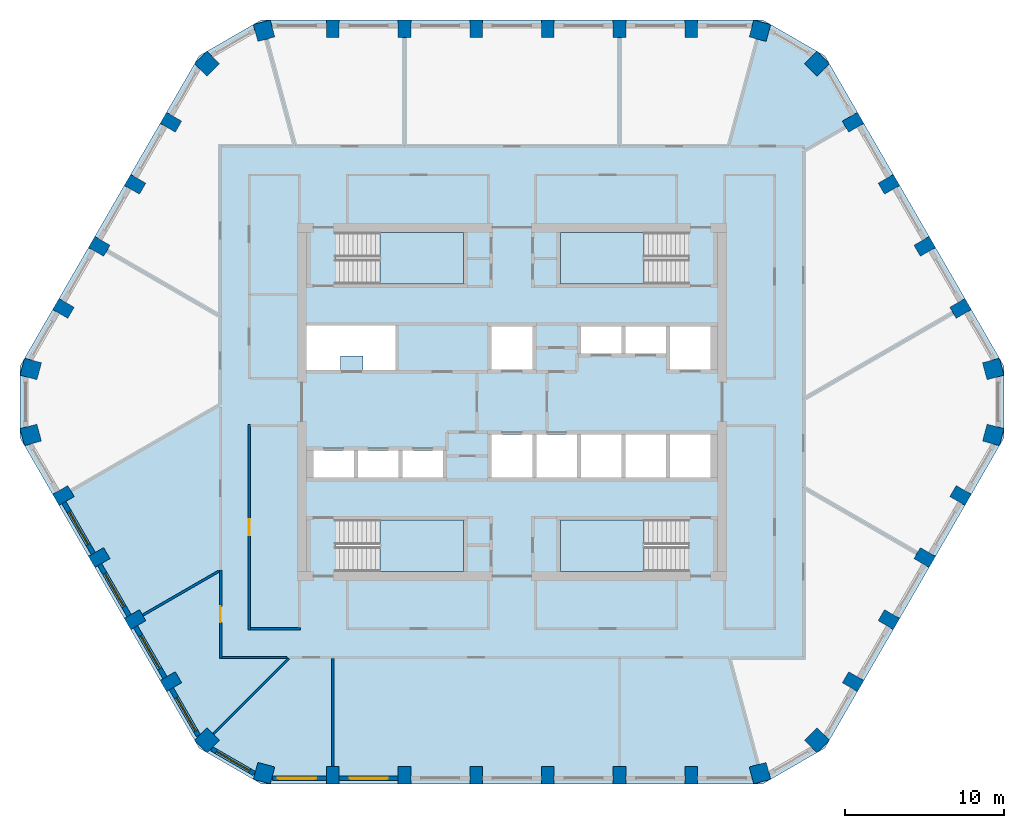
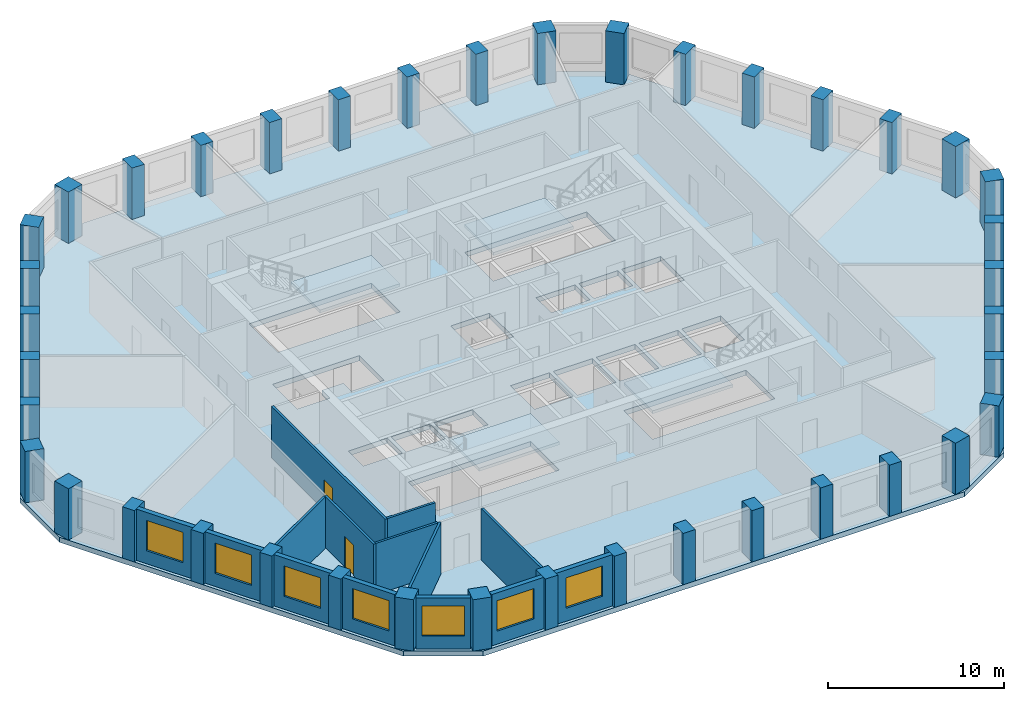
# One storey, part 1 of 13: 40 columns, 14 walls, 7 windows, 5 slabs, 2 doors, 9 openings, 4 elements without a shape of their own.
"""IFC4 building model written with IfcOpenShell, lengths in metres."""

from ifc_helpers import new_model, si_unit, direction, frame, frame_2d, origin, origin_2d, place, context, subcontext, project, spatial, polyline, rectangle, outline, extrude, material, layer, layer_set, material_profile, profile_set, type_object, element, fill, aggregate, save


model = new_model("IFC4")

# Units and contexts
model_context = context("Model", 3, precision=1e-05, world=origin(), true_north=direction((0.0, 1.0)))
body_context = subcontext(model_context, "Body", "Model", "MODEL_VIEW")
ifc_project = project(units=[si_unit("LENGTHUNIT", "METRE"), si_unit("AREAUNIT", "SQUARE_METRE"), si_unit("VOLUMEUNIT", "CUBIC_METRE"), si_unit("PLANEANGLEUNIT", "RADIAN"), si_unit("MASSUNIT", "GRAM", prefix="KILO")], contexts=[model_context])

# Site, building, storey
site_placement = place(None, origin())
site = spatial("IfcSite", under=ifc_project, at=site_placement, CompositionType="ELEMENT")
building_placement = place(site_placement, origin())
building = spatial("IfcBuilding", under=site, at=building_placement, Name="Dhurran Vertical Campus", CompositionType="ELEMENT")
storey_placement = place(building_placement, frame((0.0, 0.0, 191.699951171875)))
storey = spatial("IfcBuildingStorey", under=building, at=storey_placement, Name="L47", CompositionType="ELEMENT", Elevation=191.699951171875)

# Columns
ifc_material_1 = material(Name="Concrete C50/60", Category="concrete")
ifc_material_profile_1 = material_profile(ifc_material_1, rectangle(XDim=1.10009765625, YDim=1.10009765625, at=origin_2d()), Name="RC 1100x1100")
ifc_profile_set_1 = profile_set([ifc_material_profile_1], Name="Concrete C50/60")
column_type_1 = type_object("IfcColumnType", Name="FR COL RC 1100x1100 C50/60", PredefinedType="COLUMN", material=ifc_profile_set_1)
for number, where, z_axis, x_axis, name in (
    (1, (-15.569580078125, -23.31201171875, 0.0), (0.0, 0.0, 1.0), (0.965925826289, -0.258819045103, 0.0), "Perimeter pier PP4.00"),
    (2, (15.569580078125, -23.31201171875, 0.0), (0.0, 0.0, 1.0), (0.965925826289, 0.258819045103, 0.0), "Perimeter pier PP4.07"),
    (3, (19.154052734375, -21.242431640625, 0.0), (0.0, 0.0, 1.0), (0.707106781187, 0.707106781187, 0.0), "Perimeter pier PP4.08"),
    (4, (30.223388671875, -2.069580078125, 0.0), (0.0, 0.0, 1.0), (0.258819045103, 0.965925826289, 0.0), "Perimeter pier PP4.13"),
    (5, (30.223388671875, 2.069580078125, 0.0), (0.0, 0.0, 1.0), (-0.258819045103, 0.965925826289, 0.0), "Perimeter pier PP4.14"),
    (6, (19.154052734375, 21.242431640625, 0.0), (0.0, 0.0, 1.0), (-0.707106781187, 0.707106781187, 0.0), "Perimeter pier PP4.19"),
    (7, (15.569580078125, 23.31201171875, 0.0), (0.0, 0.0, 1.0), (-0.965925826289, 0.258819045103, 0.0), "Perimeter pier PP4.20"),
    (8, (-15.569580078125, 23.31201171875, 0.0), (0.0, 0.0, 1.0), (-0.965925826289, -0.258819045103, 0.0), "Perimeter pier PP4.27"),
    (9, (-19.154052734375, 21.242431640625, 0.0), (0.0, 0.0, 1.0), (-0.707106781187, -0.707106781187, 0.0), "Perimeter pier PP4.28"),
    (10, (-30.223388671875, 2.069580078125, 0.0), (0.0, 0.0, 1.0), (-0.258819045103, -0.965925826289, 0.0), "Perimeter pier PP4.33"),
    (11, (-30.223388671875, -2.069580078125, 0.0), (0.0, 0.0, 1.0), (0.258819045103, -0.965925826289, 0.0), "Perimeter pier PP4.34"),
    (12, (-19.154052734375, -21.242431640625, 0.0), (0.0, 0.0, 1.0), (0.707106781187, -0.707106781187, 0.0), "Perimeter pier PP4.39"),
):
    element("IfcColumn", number, at=place(storey_placement, frame(where, z_axis=z_axis, x_axis=x_axis)), inside=storey, type_object=column_type_1, Name=name, PredefinedType="COLUMN", context=body_context, shape_type="SweptSolid", body=[
        extrude(rectangle(XDim=1.10009765625, YDim=1.10009765625, at=origin_2d()), origin(), (0.0, 0.0, 1.0), 3.550048828125),
    ])
ifc_material_2 = material(Name="Concrete C50/60", Category="concrete")
ifc_material_profile_2 = material_profile(ifc_material_2, rectangle(XDim=0.800048828125, YDim=1.10009765625, at=origin_2d()), Name="RC 800x1100")
ifc_profile_set_2 = profile_set([ifc_material_profile_2], Name="Concrete C50/60")
column_type_2 = type_object("IfcColumnType", Name="FR COL RC 800x1100 C50/60", PredefinedType="COLUMN", material=ifc_profile_set_2)
for number, where, z_axis, x_axis, name in (
    (13, (-11.25, -23.435546875, 0.0), (0.0, 0.0, 1.0), (1.0, 0.0, 0.0), "Perimeter pier PP4.01"),
    (14, (-6.75, -23.435546875, 0.0), (0.0, 0.0, 1.0), (1.0, 0.0, 0.0), "Perimeter pier PP4.02"),
    (15, (-2.25, -23.435546875, 0.0), (0.0, 0.0, 1.0), (1.0, 0.0, 0.0), "Perimeter pier PP4.03"),
    (16, (2.25, -23.435546875, 0.0), (0.0, 0.0, 1.0), (1.0, 0.0, 0.0), "Perimeter pier PP4.04"),
    (17, (6.75, -23.435546875, 0.0), (0.0, 0.0, 1.0), (1.0, 0.0, 0.0), "Perimeter pier PP4.05"),
    (18, (11.25, -23.435546875, 0.0), (0.0, 0.0, 1.0), (1.0, 0.0, 0.0), "Perimeter pier PP4.06"),
    (19, (21.4208984375, -17.5634765625, 0.0), (0.0, 0.0, 1.0), (0.5, 0.866025403784, 0.0), "Perimeter pier PP4.09"),
    (20, (23.6708984375, -13.666259765625, 0.0), (0.0, 0.0, 1.0), (0.5, 0.866025403784, 0.0), "Perimeter pier PP4.10"),
    (21, (25.9208984375, -9.769287109375, 0.0), (0.0, 0.0, 1.0), (0.5, 0.866025403784, 0.0), "Perimeter pier PP4.11"),
    (22, (28.1708984375, -5.8720703125, 0.0), (0.0, 0.0, 1.0), (0.5, 0.866025403784, 0.0), "Perimeter pier PP4.12"),
    (23, (28.1708984375, 5.8720703125, 0.0), (0.0, 0.0, 1.0), (-0.5, 0.866025403784, 0.0), "Perimeter pier PP4.15"),
    (24, (25.9208984375, 9.769287109375, 0.0), (0.0, 0.0, 1.0), (-0.5, 0.866025403784, 0.0), "Perimeter pier PP4.16"),
    (25, (23.6708984375, 13.666259765625, 0.0), (0.0, 0.0, 1.0), (-0.5, 0.866025403784, 0.0), "Perimeter pier PP4.17"),
    (26, (21.4208984375, 17.5634765625, 0.0), (0.0, 0.0, 1.0), (-0.5, 0.866025403784, 0.0), "Perimeter pier PP4.18"),
    (27, (11.25, 23.435546875, 0.0), (0.0, 0.0, 1.0), (-1.0, 0.0, 0.0), "Perimeter pier PP4.21"),
    (28, (6.75, 23.435546875, 0.0), (0.0, 0.0, 1.0), (-1.0, 0.0, 0.0), "Perimeter pier PP4.22"),
    (29, (2.25, 23.435546875, 0.0), (0.0, 0.0, 1.0), (-1.0, 0.0, 0.0), "Perimeter pier PP4.23"),
    (30, (-2.25, 23.435546875, 0.0), (0.0, 0.0, 1.0), (-1.0, 0.0, 0.0), "Perimeter pier PP4.24"),
    (31, (-6.75, 23.435546875, 0.0), (0.0, 0.0, 1.0), (-1.0, 0.0, 0.0), "Perimeter pier PP4.25"),
    (32, (-11.25, 23.435546875, 0.0), (0.0, 0.0, 1.0), (-1.0, 0.0, 0.0), "Perimeter pier PP4.26"),
    (33, (-21.4208984375, 17.5634765625, 0.0), (0.0, 0.0, 1.0), (-0.5, -0.866025403784, 0.0), "Perimeter pier PP4.29"),
    (34, (-23.6708984375, 13.666259765625, 0.0), (0.0, 0.0, 1.0), (-0.5, -0.866025403784, 0.0), "Perimeter pier PP4.30"),
    (35, (-25.9208984375, 9.769287109375, 0.0), (0.0, 0.0, 1.0), (-0.5, -0.866025403784, 0.0), "Perimeter pier PP4.31"),
    (36, (-28.1708984375, 5.8720703125, 0.0), (0.0, 0.0, 1.0), (-0.5, -0.866025403784, 0.0), "Perimeter pier PP4.32"),
    (37, (-28.1708984375, -5.8720703125, 0.0), (0.0, 0.0, 1.0), (0.5, -0.866025403784, 0.0), "Perimeter pier PP4.35"),
    (38, (-25.9208984375, -9.769287109375, 0.0), (0.0, 0.0, 1.0), (0.5, -0.866025403784, 0.0), "Perimeter pier PP4.36"),
    (39, (-23.6708984375, -13.666259765625, 0.0), (0.0, 0.0, 1.0), (0.5, -0.866025403784, 0.0), "Perimeter pier PP4.37"),
    (40, (-21.4208984375, -17.5634765625, 0.0), (0.0, 0.0, 1.0), (0.5, -0.866025403784, 0.0), "Perimeter pier PP4.38"),
):
    element("IfcColumn", number, at=place(storey_placement, frame(where, z_axis=z_axis, x_axis=x_axis)), inside=storey, type_object=column_type_2, Name=name, PredefinedType="COLUMN", context=body_context, shape_type="SweptSolid", body=[
        extrude(rectangle(XDim=0.800048828125, YDim=1.10009765625, at=origin_2d()), origin(), (0.0, 0.0, 1.0), 3.550048828125),
    ])

# Slab
ifc_material_3 = material(Name="Concrete C40/50", Category="concrete")
ifc_layer_1 = layer(ifc_material_3, 0.35009765625)
ifc_layer_set_1 = layer_set([ifc_layer_1], Name="Concrete C40/50")
slab_type_1 = type_object("IfcSlabType", Name="FR POST-TENSIONED FLAT SLAB 350", PredefinedType="FLOOR", material=ifc_layer_set_1)
slab_1_placement = place(storey_placement, frame((0.0, 0.0, -0.349853515625)))
element("IfcSlab", 41, at=slab_1_placement, inside=storey, type_object=slab_type_1, Name="Floor slab L47", PredefinedType="FLOOR", context=body_context, shape_type="SweptSolid", body=[
    extrude(outline(polyline([(-15.75, -23.985595703125), (15.75, -23.985595703125), (19.647216796875, -21.735595703125), (30.897216796875, -2.25), (30.897216796875, 2.25), (19.647216796875, 21.735595703125), (15.75, 23.985595703125), (-15.75, 23.985595703125), (-19.647216796875, 21.735595703125), (-30.897216796875, 2.25), (-30.897216796875, -2.25), (-19.647216796875, -21.735595703125), (-15.75, -23.985595703125)]), holes=[polyline([(-1.27490234375, 2.050048828125), (1.27490234375, 2.050048828125), (1.27490234375, 4.75), (-1.27490234375, 4.75), (-1.27490234375, 2.050048828125)]), polyline([(9.925048828125, 2.050048828125), (12.47509765625, 2.050048828125), (12.47509765625, 4.75), (9.925048828125, 4.75), (9.925048828125, 2.050048828125)]), polyline([(-1.27490234375, -4.75), (1.27490234375, -4.75), (1.27490234375, -2.050048828125), (-1.27490234375, -2.050048828125), (-1.27490234375, -4.75)]), polyline([(1.52490234375, -4.75), (4.074951171875, -4.75), (4.074951171875, -2.050048828125), (1.52490234375, -2.050048828125), (1.52490234375, -4.75)]), polyline([(4.324951171875, -4.75), (6.875, -4.75), (6.875, -2.050048828125), (4.324951171875, -2.050048828125), (4.324951171875, -4.75)]), polyline([(7.125, -4.75), (9.675048828125, -4.75), (9.675048828125, -2.050048828125), (7.125, -2.050048828125), (7.125, -4.75)]), polyline([(9.925048828125, -4.75), (12.47509765625, -4.75), (12.47509765625, -2.050048828125), (9.925048828125, -2.050048828125), (9.925048828125, -4.75)]), polyline([(4.324951171875, 3.050048828125), (6.875, 3.050048828125), (6.875, 4.75), (4.324951171875, 4.75), (4.324951171875, 3.050048828125)]), polyline([(7.125, 3.050048828125), (9.675048828125, 3.050048828125), (9.675048828125, 4.75), (7.125, 4.75), (7.125, 3.050048828125)]), polyline([(-12.47509765625, -4.75), (-9.925048828125, -4.75), (-9.925048828125, -3.050048828125), (-12.47509765625, -3.050048828125), (-12.47509765625, -4.75)]), polyline([(-9.675048828125, -4.75), (-7.125, -4.75), (-7.125, -3.050048828125), (-9.675048828125, -3.050048828125), (-9.675048828125, -4.75)]), polyline([(-6.875, -4.75), (-4.324951171875, -4.75), (-4.324951171875, -3.050048828125), (-6.875, -3.050048828125), (-6.875, -4.75)]), polyline([(-11.050048828125, 7.39990234375), (-3.050048828125, 7.39990234375), (-3.050048828125, 10.64990234375), (-11.050048828125, 10.64990234375), (-11.050048828125, 7.39990234375)]), polyline([(3.050048828125, 7.39990234375), (11.050048828125, 7.39990234375), (11.050048828125, 10.64990234375), (3.050048828125, 10.64990234375), (3.050048828125, 7.39990234375)]), polyline([(-11.050048828125, -10.64990234375), (-3.050048828125, -10.64990234375), (-3.050048828125, -7.39990234375), (-11.050048828125, -7.39990234375), (-11.050048828125, -10.64990234375)]), polyline([(3.050048828125, -10.64990234375), (11.050048828125, -10.64990234375), (11.050048828125, -7.39990234375), (3.050048828125, -7.39990234375), (3.050048828125, -10.64990234375)]), polyline([(-7.21240234375, 4.800048828125), (-7.21240234375, 2.0), (-9.356201171875, 2.0), (-9.356201171875, 2.89990234375), (-10.756103515625, 2.89990234375), (-10.756103515625, 2.0), (-12.89990234375, 2.0), (-12.89990234375, 4.800048828125), (-7.21240234375, 4.800048828125)])]), origin(), (0.0, 0.0, 1.0), 0.349853515625),
])

# Stair, slab
ifc_material_4 = material(Name="Concrete C40/50", Category="concrete")
stair_type = type_object("IfcStairType", Name="co-ST-CORE", PredefinedType="HALF_TURN_STAIR", material=ifc_material_4)
stair_1_placement = place(storey_placement, origin())
stair_1 = element("IfcStair", 42, at=stair_1_placement, inside=storey, type_object=stair_type, Name="L47 Protected exit stair ST1", PredefinedType="HALF_TURN_STAIR")
ifc_material_5 = material(Name="Concrete C40/50", Category="concrete")
ifc_layer_2 = layer(ifc_material_5, 0.199951171875)
ifc_layer_set_2 = layer_set([ifc_layer_2], Name="Concrete C40/50")
slab_type_2 = type_object("IfcSlabType", Name="co-SL-LANDING", PredefinedType="LANDING", material=ifc_layer_set_2)
slab_2_placement = place(storey_placement, frame((0.0, 0.0, 1.75)))
slab_2 = element("IfcSlab", 43, at=slab_2_placement, type_object=slab_type_2, Name="ST1 landing 1", PredefinedType="LANDING", context=body_context, shape_type="SweptSolid", body=[
    extrude(outline(polyline([(-8.300048828125, 7.39990234375), (-3.050048828125, 7.39990234375), (-3.050048828125, 10.64990234375), (-8.300048828125, 10.64990234375), (-8.300048828125, 7.39990234375)])), origin(), (0.0, 0.0, 1.0), 0.199951171875),
])
aggregate(stair_1, [slab_2])

stair_2_placement = place(storey_placement, origin())
stair_2 = element("IfcStair", 44, at=stair_2_placement, inside=storey, type_object=stair_type, Name="L47 Protected exit stair ST2", PredefinedType="HALF_TURN_STAIR")
slab_3_placement = place(storey_placement, frame((0.0, 0.0, 1.75)))
slab_3 = element("IfcSlab", 45, at=slab_3_placement, type_object=slab_type_2, Name="ST2 landing 1", PredefinedType="LANDING", context=body_context, shape_type="SweptSolid", body=[
    extrude(outline(polyline([(8.300048828125, 10.64990234375), (3.050048828125, 10.64990234375), (3.050048828125, 7.39990234375), (8.300048828125, 7.39990234375), (8.300048828125, 10.64990234375)])), origin(), (0.0, 0.0, 1.0), 0.199951171875),
])
aggregate(stair_2, [slab_3])

stair_3_placement = place(storey_placement, origin())
stair_3 = element("IfcStair", 46, at=stair_3_placement, inside=storey, type_object=stair_type, Name="L47 Protected exit stair ST3", PredefinedType="HALF_TURN_STAIR")
slab_4_placement = place(storey_placement, frame((0.0, 0.0, 1.75)))
slab_4 = element("IfcSlab", 47, at=slab_4_placement, type_object=slab_type_2, Name="ST3 landing 1", PredefinedType="LANDING", context=body_context, shape_type="SweptSolid", body=[
    extrude(outline(polyline([(-8.300048828125, -10.64990234375), (-3.050048828125, -10.64990234375), (-3.050048828125, -7.39990234375), (-8.300048828125, -7.39990234375), (-8.300048828125, -10.64990234375)])), origin(), (0.0, 0.0, 1.0), 0.199951171875),
])
aggregate(stair_3, [slab_4])

stair_4_placement = place(storey_placement, origin())
stair_4 = element("IfcStair", 48, at=stair_4_placement, inside=storey, type_object=stair_type, Name="L47 Protected exit stair ST4", PredefinedType="HALF_TURN_STAIR")
slab_5_placement = place(storey_placement, frame((0.0, 0.0, 1.75)))
slab_5 = element("IfcSlab", 49, at=slab_5_placement, type_object=slab_type_2, Name="ST4 landing 1", PredefinedType="LANDING", context=body_context, shape_type="SweptSolid", body=[
    extrude(outline(polyline([(8.300048828125, -7.39990234375), (3.050048828125, -7.39990234375), (3.050048828125, -10.64990234375), (8.300048828125, -10.64990234375), (8.300048828125, -7.39990234375)])), origin(), (0.0, 0.0, 1.0), 0.199951171875),
])
aggregate(stair_4, [slab_5])

# Wall, opening, window
ifc_material_6 = material(Name="Precast concrete C50/60", Category="concrete")
ifc_layer_3 = layer(ifc_material_6, 0.300048828125)
ifc_layer_set_3 = layer_set([ifc_layer_3], Name="Precast concrete C50/60")
wall_type_1 = type_object("IfcWallType", Name="Precast spandrel wall 300", PredefinedType="SOLIDWALL", material=ifc_layer_set_3)
wall_1_placement = place(storey_placement, frame((-15.04638671875, -23.635498046875, 0.0), z_axis=(0.0, 0.0, 1.0), x_axis=(1.0, 0.0, 0.0)))
wall_1 = element("IfcWall", 50, at=wall_1_placement, inside=storey, type_object=wall_type_1, Name="EW1 L47.00", PredefinedType="SOLIDWALL", context=body_context, shape_type="SweptSolid", body=[
    extrude(rectangle(XDim=3.39599609375, YDim=0.300048828125, at=frame_2d((1.697998046875, 0.0))), origin(), (0.0, 0.0, 1.0), 3.550048828125),
])
opening_1_placement = place(wall_1_placement, frame((0.34619140625, 0.0, 0.89990234375)))
opening_1 = element("IfcOpeningElement", 51, at=opening_1_placement, cuts=wall_1, Name="Opening WT1", PredefinedType="OPENING", context=body_context, shape_type="SweptSolid", body=[
    extrude(rectangle(XDim=2.39990234375, YDim=2.10009765625, at=frame_2d((1.199951171875, 1.050048828125))), frame((0.0, 0.159912109375, 0.0), z_axis=(0.0, -1.0, 0.0), x_axis=(1.0, 0.0, 0.0)), (0.0, 0.0, 1.0), 0.320068359375),
])
ifc_material_7 = material(Name="Aluminium frame with solar-control glass", Category="aluminium")
window_type = type_object("IfcWindowType", Name="Punched window 2400 x 2100", PartitioningType="SINGLE_PANEL", PredefinedType="WINDOW", material=ifc_material_7)
window_1_placement = place(opening_1_placement, origin())
window_1 = element("IfcWindow", 52, at=window_1_placement, inside=storey, type_object=window_type, Name="WT1 L47.00", OverallHeight=2.10009765625, OverallWidth=2.39990234375, PartitioningType="SINGLE_PANEL", PredefinedType="WINDOW", context=body_context, shape_type="SweptSolid", body=[
    extrude(rectangle(XDim=2.39990234375, YDim=2.10009765625, at=frame_2d((1.199951171875, 1.050048828125))), frame((0.0, 0.030029296875, 0.0), z_axis=(0.0, -1.0, 0.0), x_axis=(1.0, 0.0, 0.0)), (0.0, 0.0, 1.0), 0.06005859375),
])
fill(opening_1, window_1)

wall_2_placement = place(storey_placement, frame((-10.849609375, -23.635498046875, 0.0), z_axis=(0.0, 0.0, 1.0), x_axis=(1.0, 0.0, 0.0)))
wall_2 = element("IfcWall", 53, at=wall_2_placement, inside=storey, type_object=wall_type_1, Name="EW1 L47.01", PredefinedType="SOLIDWALL", context=body_context, shape_type="SweptSolid", body=[
    extrude(rectangle(XDim=3.69921875, YDim=0.300048828125, at=frame_2d((1.849609375, 0.0))), origin(), (0.0, 0.0, 1.0), 3.550048828125),
])
opening_2_placement = place(wall_2_placement, frame((0.6494140625, 0.0, 0.89990234375)))
opening_2 = element("IfcOpeningElement", 54, at=opening_2_placement, cuts=wall_2, Name="Opening WT1", PredefinedType="OPENING", context=body_context, shape_type="SweptSolid", body=[
    extrude(rectangle(XDim=2.39990234375, YDim=2.10009765625, at=frame_2d((1.199951171875, 1.050048828125))), frame((0.0, 0.159912109375, 0.0), z_axis=(0.0, -1.0, 0.0), x_axis=(1.0, 0.0, 0.0)), (0.0, 0.0, 1.0), 0.320068359375),
])
window_2_placement = place(opening_2_placement, origin())
window_2 = element("IfcWindow", 55, at=window_2_placement, inside=storey, type_object=window_type, Name="WT1 L47.01", OverallHeight=2.10009765625, OverallWidth=2.39990234375, PartitioningType="SINGLE_PANEL", PredefinedType="WINDOW", context=body_context, shape_type="SweptSolid", body=[
    extrude(rectangle(XDim=2.39990234375, YDim=2.10009765625, at=frame_2d((1.199951171875, 1.050048828125))), frame((0.0, 0.030029296875, 0.0), z_axis=(0.0, -1.0, 0.0), x_axis=(1.0, 0.0, 0.0)), (0.0, 0.0, 1.0), 0.06005859375),
])
fill(opening_2, window_2)

wall_3_placement = place(storey_placement, frame((-28.143798828125, -6.319091796875, 0.0), z_axis=(0.0, 0.0, 1.0), x_axis=(0.500029062817, -0.866008623709, 0.0)))
wall_3 = element("IfcWall", 56, at=wall_3_placement, inside=storey, type_object=wall_type_1, Name="EW1 L47.35", PredefinedType="SOLIDWALL", context=body_context, shape_type="SweptSolid", body=[
    extrude(rectangle(XDim=3.698974609375, YDim=0.300048828125, at=frame_2d((1.849609375, 0.0))), origin(), (0.0, 0.0, 1.0), 3.550048828125),
])
opening_3_placement = place(wall_3_placement, frame((0.6494140625, 0.0, 0.89990234375)))
opening_3 = element("IfcOpeningElement", 57, at=opening_3_placement, cuts=wall_3, Name="Opening WT1", PredefinedType="OPENING", context=body_context, shape_type="SweptSolid", body=[
    extrude(rectangle(XDim=2.39990234375, YDim=2.10009765625, at=frame_2d((1.199951171875, 1.050048828125))), frame((0.0, 0.159912109375, 0.0), z_axis=(0.0, -1.0, 0.0), x_axis=(1.0, 0.0, 0.0)), (0.0, 0.0, 1.0), 0.320068359375),
])
window_3_placement = place(opening_3_placement, origin())
window_3 = element("IfcWindow", 58, at=window_3_placement, inside=storey, type_object=window_type, Name="WT1 L47.35", OverallHeight=2.10009765625, OverallWidth=2.39990234375, PartitioningType="SINGLE_PANEL", PredefinedType="WINDOW", context=body_context, shape_type="SweptSolid", body=[
    extrude(rectangle(XDim=2.39990234375, YDim=2.10009765625, at=frame_2d((1.199951171875, 1.050048828125))), frame((0.0, 0.030029296875, 0.0), z_axis=(0.0, -1.0, 0.0), x_axis=(1.0, 0.0, 0.0)), (0.0, 0.0, 1.0), 0.06005859375),
])
fill(opening_3, window_3)

wall_4_placement = place(storey_placement, frame((-25.893798828125, -10.216064453125, 0.0), z_axis=(0.0, 0.0, 1.0), x_axis=(0.500029062817, -0.866008623709, 0.0)))
wall_4 = element("IfcWall", 59, at=wall_4_placement, inside=storey, type_object=wall_type_1, Name="EW1 L47.36", PredefinedType="SOLIDWALL", context=body_context, shape_type="SweptSolid", body=[
    extrude(rectangle(XDim=3.698974609375, YDim=0.300048828125, at=frame_2d((1.849609375, 0.0))), origin(), (0.0, 0.0, 1.0), 3.550048828125),
])
opening_4_placement = place(wall_4_placement, frame((0.6494140625, 0.0, 0.89990234375)))
opening_4 = element("IfcOpeningElement", 60, at=opening_4_placement, cuts=wall_4, Name="Opening WT1", PredefinedType="OPENING", context=body_context, shape_type="SweptSolid", body=[
    extrude(rectangle(XDim=2.39990234375, YDim=2.10009765625, at=frame_2d((1.199951171875, 1.050048828125))), frame((0.0, 0.159912109375, 0.0), z_axis=(0.0, -1.0, 0.0), x_axis=(1.0, 0.0, 0.0)), (0.0, 0.0, 1.0), 0.320068359375),
])
window_4_placement = place(opening_4_placement, origin())
window_4 = element("IfcWindow", 61, at=window_4_placement, inside=storey, type_object=window_type, Name="WT1 L47.36", OverallHeight=2.10009765625, OverallWidth=2.39990234375, PartitioningType="SINGLE_PANEL", PredefinedType="WINDOW", context=body_context, shape_type="SweptSolid", body=[
    extrude(rectangle(XDim=2.39990234375, YDim=2.10009765625, at=frame_2d((1.199951171875, 1.050048828125))), frame((0.0, 0.030029296875, 0.0), z_axis=(0.0, -1.0, 0.0), x_axis=(1.0, 0.0, 0.0)), (0.0, 0.0, 1.0), 0.06005859375),
])
fill(opening_4, window_4)

wall_5_placement = place(storey_placement, frame((-23.643798828125, -14.11328125, 0.0), z_axis=(0.0, 0.0, 1.0), x_axis=(0.500029062817, -0.866008623709, 0.0)))
wall_5 = element("IfcWall", 62, at=wall_5_placement, inside=storey, type_object=wall_type_1, Name="EW1 L47.37", PredefinedType="SOLIDWALL", context=body_context, shape_type="SweptSolid", body=[
    extrude(rectangle(XDim=3.698974609375, YDim=0.300048828125, at=frame_2d((1.849609375, 0.0))), origin(), (0.0, 0.0, 1.0), 3.550048828125),
])
opening_5_placement = place(wall_5_placement, frame((0.6494140625, 0.0, 0.89990234375)))
opening_5 = element("IfcOpeningElement", 63, at=opening_5_placement, cuts=wall_5, Name="Opening WT1", PredefinedType="OPENING", context=body_context, shape_type="SweptSolid", body=[
    extrude(rectangle(XDim=2.39990234375, YDim=2.10009765625, at=frame_2d((1.199951171875, 1.050048828125))), frame((0.0, 0.159912109375, 0.0), z_axis=(0.0, -1.0, 0.0), x_axis=(1.0, 0.0, 0.0)), (0.0, 0.0, 1.0), 0.320068359375),
])
window_5_placement = place(opening_5_placement, origin())
window_5 = element("IfcWindow", 64, at=window_5_placement, inside=storey, type_object=window_type, Name="WT1 L47.37", OverallHeight=2.10009765625, OverallWidth=2.39990234375, PartitioningType="SINGLE_PANEL", PredefinedType="WINDOW", context=body_context, shape_type="SweptSolid", body=[
    extrude(rectangle(XDim=2.39990234375, YDim=2.10009765625, at=frame_2d((1.199951171875, 1.050048828125))), frame((0.0, 0.030029296875, 0.0), z_axis=(0.0, -1.0, 0.0), x_axis=(1.0, 0.0, 0.0)), (0.0, 0.0, 1.0), 0.06005859375),
])
fill(opening_5, window_5)

wall_6_placement = place(storey_placement, frame((-21.393798828125, -18.01025390625, 0.0), z_axis=(0.0, 0.0, 1.0), x_axis=(0.500012868213, -0.866017974191, 0.0)))
wall_6 = element("IfcWall", 65, at=wall_6_placement, inside=storey, type_object=wall_type_1, Name="EW1 L47.38", PredefinedType="SOLIDWALL", context=body_context, shape_type="SweptSolid", body=[
    extrude(rectangle(XDim=3.39599609375, YDim=0.300048828125, at=frame_2d((1.697998046875, 0.0))), origin(), (0.0, 0.0, 1.0), 3.550048828125),
])
opening_6_placement = place(wall_6_placement, frame((0.6494140625, 0.0, 0.89990234375)))
opening_6 = element("IfcOpeningElement", 66, at=opening_6_placement, cuts=wall_6, Name="Opening WT1", PredefinedType="OPENING", context=body_context, shape_type="SweptSolid", body=[
    extrude(rectangle(XDim=2.39990234375, YDim=2.10009765625, at=frame_2d((1.199951171875, 1.050048828125))), frame((0.0, 0.159912109375, 0.0), z_axis=(0.0, -1.0, 0.0), x_axis=(1.0, 0.0, 0.0)), (0.0, 0.0, 1.0), 0.320068359375),
])
window_6_placement = place(opening_6_placement, origin())
window_6 = element("IfcWindow", 67, at=window_6_placement, inside=storey, type_object=window_type, Name="WT1 L47.38", OverallHeight=2.10009765625, OverallWidth=2.39990234375, PartitioningType="SINGLE_PANEL", PredefinedType="WINDOW", context=body_context, shape_type="SweptSolid", body=[
    extrude(rectangle(XDim=2.39990234375, YDim=2.10009765625, at=frame_2d((1.199951171875, 1.050048828125))), frame((0.0, 0.030029296875, 0.0), z_axis=(0.0, -1.0, 0.0), x_axis=(1.0, 0.0, 0.0)), (0.0, 0.0, 1.0), 0.06005859375),
])
fill(opening_6, window_6)

wall_7_placement = place(storey_placement, frame((-18.86279296875, -21.7841796875, 0.0), z_axis=(0.0, 0.0, 1.0), x_axis=(0.865994975416, -0.500052699777, 0.0)))
wall_7 = element("IfcWall", 68, at=wall_7_placement, inside=storey, type_object=wall_type_1, Name="EW1 L47.39", PredefinedType="SOLIDWALL", context=body_context, shape_type="SweptSolid", body=[
    extrude(rectangle(XDim=3.093017578125, YDim=0.300048828125, at=frame_2d((1.54638671875, 0.0))), origin(), (0.0, 0.0, 1.0), 3.550048828125),
])
opening_7_placement = place(wall_7_placement, frame((0.34619140625, 0.0, 0.89990234375)))
opening_7 = element("IfcOpeningElement", 69, at=opening_7_placement, cuts=wall_7, Name="Opening WT1", PredefinedType="OPENING", context=body_context, shape_type="SweptSolid", body=[
    extrude(rectangle(XDim=2.39990234375, YDim=2.10009765625, at=frame_2d((1.199951171875, 1.050048828125))), frame((0.0, 0.159912109375, 0.0), z_axis=(0.0, -1.0, 0.0), x_axis=(1.0, 0.0, 0.0)), (0.0, 0.0, 1.0), 0.320068359375),
])
window_7_placement = place(opening_7_placement, origin())
window_7 = element("IfcWindow", 70, at=window_7_placement, inside=storey, type_object=window_type, Name="WT1 L47.39", OverallHeight=2.10009765625, OverallWidth=2.39990234375, PartitioningType="SINGLE_PANEL", PredefinedType="WINDOW", context=body_context, shape_type="SweptSolid", body=[
    extrude(rectangle(XDim=2.39990234375, YDim=2.10009765625, at=frame_2d((1.199951171875, 1.050048828125))), frame((0.0, 0.030029296875, 0.0), z_axis=(0.0, -1.0, 0.0), x_axis=(1.0, 0.0, 0.0)), (0.0, 0.0, 1.0), 0.06005859375),
])
fill(opening_7, window_7)

# Wall, opening, door
ifc_material_8 = material(Name="Gypsum board corridor wall on steel studs", Category="steel")
ifc_layer_4 = layer(ifc_material_8, 0.14990234375)
ifc_layer_set_4 = layer_set([ifc_layer_4], Name="Gypsum board corridor wall on steel studs")
wall_type_2 = type_object("IfcWallType", Name="fl-CW-150 corridor wall", PredefinedType="PARTITIONING", material=ifc_layer_set_4)
wall_8_placement = place(storey_placement, frame((-18.300048828125, -10.56591796875, 0.0), z_axis=(0.0, 0.0, 1.0), x_axis=(0.0, -1.0, 0.0)))
wall_8 = element("IfcWall", 71, at=wall_8_placement, inside=storey, type_object=wall_type_2, Name="Partition 47-05", PredefinedType="PARTITIONING", context=body_context, shape_type="SweptSolid", body=[
    extrude(rectangle(XDim=5.55908203125, YDim=0.14990234375, at=frame_2d((2.779541015625, 0.0))), origin(), (0.0, 0.0, 1.0), 3.550048828125),
])
opening_8_placement = place(wall_8_placement, frame((2.279541015625, 0.0, 0.0)))
opening_8 = element("IfcOpeningElement", 72, at=opening_8_placement, cuts=wall_8, Name="Opening T13.04", PredefinedType="OPENING", context=body_context, shape_type="SweptSolid", body=[
    extrude(rectangle(XDim=1.0, YDim=2.10009765625, at=frame_2d((0.5, 1.050048828125))), frame((0.0, 0.0849609375, 0.0), z_axis=(0.0, -1.0, 0.0), x_axis=(1.0, 0.0, 0.0)), (0.0, 0.0, 1.0), 0.169921875),
])
ifc_material_9 = material(Name="Solid-core timber door set, fire-rated", Category="wood")
door_type = type_object("IfcDoorType", Name="fl-D-1000x2100", OperationType="SINGLE_SWING_LEFT", PredefinedType="DOOR", material=ifc_material_9)
door_1_placement = place(opening_8_placement, origin())
door_1 = element("IfcDoor", 73, at=door_1_placement, inside=storey, type_object=door_type, Name="Door 47.04", OperationType="SINGLE_SWING_RIGHT", OverallHeight=2.10009765625, OverallWidth=1.0, PredefinedType="DOOR", context=body_context, shape_type="SweptSolid", body=[
    extrude(rectangle(XDim=1.0, YDim=2.10009765625, at=frame_2d((0.5, 1.050048828125))), frame((0.0, 0.02490234375, 0.0), z_axis=(0.0, -1.0, 0.0), x_axis=(1.0, 0.0, 0.0)), (0.0, 0.0, 1.0), 0.050048828125),
])
fill(opening_8, door_1)

# Wall
wall_9_placement = place(storey_placement, frame((-18.22509765625, -16.050048828125, 0.0), z_axis=(0.0, 0.0, 1.0), x_axis=(1.0, 0.0, 0.0)))
element("IfcWall", 74, at=wall_9_placement, inside=storey, type_object=wall_type_2, Name="Partition 47-06", PredefinedType="PARTITIONING", context=body_context, shape_type="SweptSolid", body=[
    extrude(rectangle(XDim=4.088134765625, YDim=0.14990234375, at=frame_2d((2.0439453125, 0.0))), origin(), (0.0, 0.0, 1.0), 3.550048828125),
])

# Wall, opening, door
wall_10_placement = place(storey_placement, frame((-16.5, -14.324951171875, 0.0), z_axis=(0.0, 0.0, 1.0), x_axis=(0.0, 1.0, 0.0)))
wall_10 = element("IfcWall", 75, at=wall_10_placement, inside=storey, type_object=wall_type_2, Name="Partition 47-11", PredefinedType="PARTITIONING", context=body_context, shape_type="SweptSolid", body=[
    extrude(rectangle(XDim=12.89990234375, YDim=0.14990234375, at=frame_2d((6.449951171875, 0.0))), origin(), (0.0, 0.0, 1.0), 3.550048828125),
])
opening_9_placement = place(wall_10_placement, frame((5.949951171875, 0.0, 0.0)))
opening_9 = element("IfcOpeningElement", 76, at=opening_9_placement, cuts=wall_10, Name="Opening T13.06", PredefinedType="OPENING", context=body_context, shape_type="SweptSolid", body=[
    extrude(rectangle(XDim=1.0, YDim=2.10009765625, at=frame_2d((0.5, 1.050048828125))), frame((0.0, 0.0849609375, 0.0), z_axis=(0.0, -1.0, 0.0), x_axis=(1.0, 0.0, 0.0)), (0.0, 0.0, 1.0), 0.169921875),
])
door_2_placement = place(opening_9_placement, origin())
door_2 = element("IfcDoor", 77, at=door_2_placement, inside=storey, type_object=door_type, Name="Door 47.06", OperationType="SINGLE_SWING_LEFT", OverallHeight=2.10009765625, OverallWidth=1.0, PredefinedType="DOOR", context=body_context, shape_type="SweptSolid", body=[
    extrude(rectangle(XDim=1.0, YDim=2.10009765625, at=frame_2d((0.5, 1.050048828125))), frame((0.0, 0.02490234375, 0.0), z_axis=(0.0, -1.0, 0.0), x_axis=(1.0, 0.0, 0.0)), (0.0, 0.0, 1.0), 0.050048828125),
])
fill(opening_9, door_2)

# Walls
wall_11_placement = place(storey_placement, frame((-13.27490234375, -14.25, 0.0), z_axis=(0.0, 0.0, 1.0), x_axis=(-1.0, 0.0, 0.0)))
element("IfcWall", 78, at=wall_11_placement, inside=storey, type_object=wall_type_2, Name="Partition 47-12", PredefinedType="PARTITIONING", context=body_context, shape_type="SweptSolid", body=[
    extrude(rectangle(XDim=3.150146484375, YDim=0.14990234375, at=frame_2d((1.5751953125, 0.0))), origin(), (0.0, 0.0, 1.0), 3.550048828125),
])
ifc_material_10 = material(Name="Gypsum board partition on steel studs", Category="steel")
ifc_layer_5 = layer(ifc_material_10, 0.14990234375)
ifc_layer_set_5 = layer_set([ifc_layer_5], Name="Gypsum board partition on steel studs")
wall_type_3 = type_object("IfcWallType", Name="fl-PW-150 fixed partition", PredefinedType="PARTITIONING", material=ifc_layer_set_5)
wall_12_placement = place(storey_placement, frame((-18.41259765625, -10.631103515625, 0.0), z_axis=(0.0, 0.0, 1.0), x_axis=(-0.866074743691, -0.499914531035, 0.0)))
element("IfcWall", 79, at=wall_12_placement, inside=storey, type_object=wall_type_3, Name="Partition 47-03", PredefinedType="PARTITIONING", context=body_context, shape_type="SweptSolid", body=[
    extrude(rectangle(XDim=5.50146484375, YDim=0.14990234375, at=frame_2d((2.750732421875, 0.0))), origin(), (0.0, 0.0, 1.0), 3.550048828125),
])
wall_13_placement = place(storey_placement, frame((-14.014892578125, -16.10302734375, 0.0), z_axis=(0.0, 0.0, 1.0), x_axis=(-0.707052104459, -0.707161453686, 0.0)))
element("IfcWall", 80, at=wall_13_placement, inside=storey, type_object=wall_type_3, Name="Partition 47-04", PredefinedType="PARTITIONING", context=body_context, shape_type="SweptSolid", body=[
    extrude(rectangle(XDim=6.697998046875, YDim=0.14990234375, at=frame_2d((3.34912109375, 0.0))), origin(), (0.0, 0.0, 1.0), 3.550048828125),
])
wall_14_placement = place(storey_placement, frame((-11.25, -16.125, 0.0), z_axis=(0.0, 0.0, 1.0), x_axis=(0.0, -1.0, 0.0)))
element("IfcWall", 81, at=wall_14_placement, inside=storey, type_object=wall_type_3, Name="Partition 47-24", PredefinedType="PARTITIONING", context=body_context, shape_type="SweptSolid", body=[
    extrude(rectangle(XDim=6.740478515625, YDim=0.14990234375, at=frame_2d((3.3701171875, 0.0))), origin(), (0.0, 0.0, 1.0), 3.550048828125),
])

save(model, "model.ifc")
